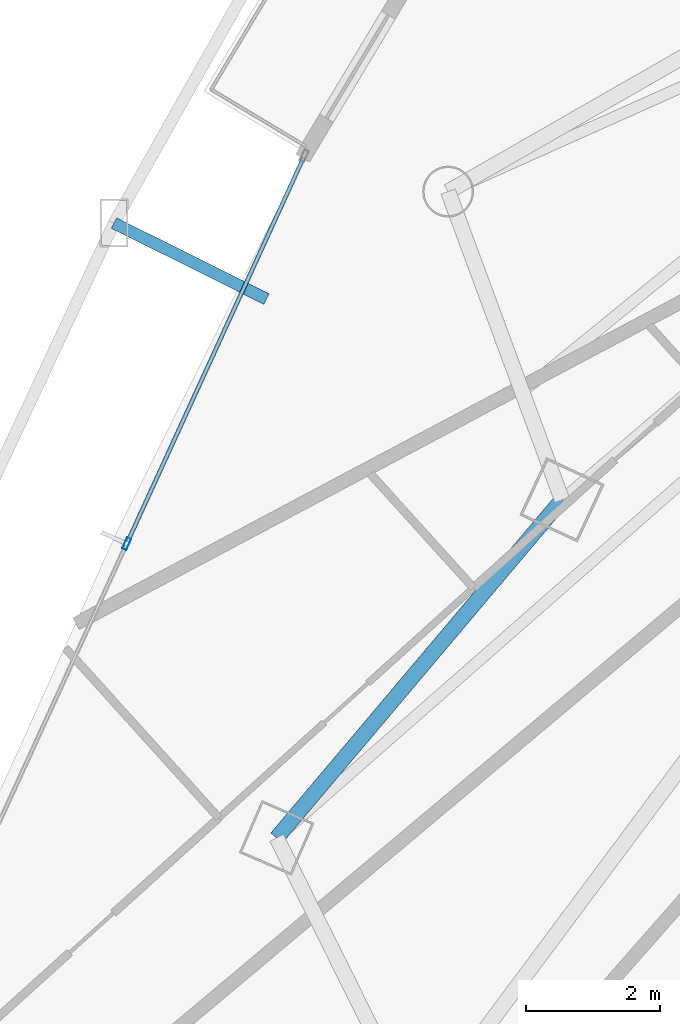
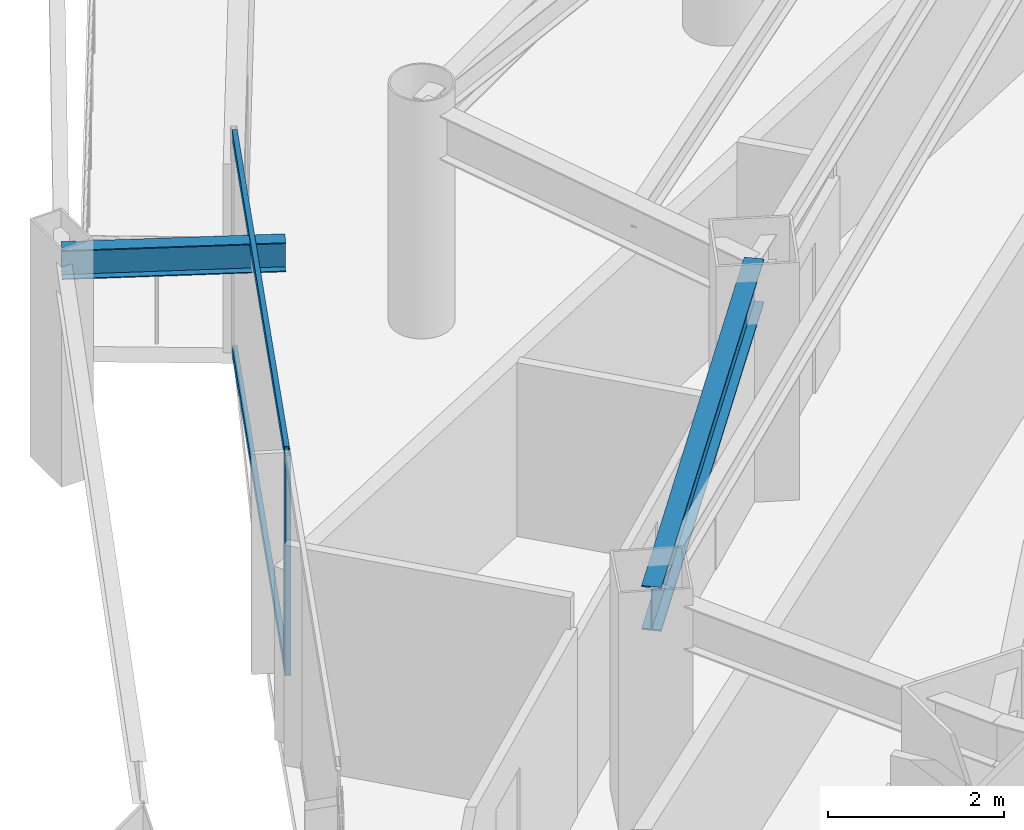
# One storey, part 9 of 38: 3 members, 2 beams, 1 element without a shape of its own.
"""IFC4 building model written with IfcOpenShell, lengths in metres."""

from ifc_helpers import new_model, si_unit, direction, frame, origin, origin_2d, place, context, subcontext, project, spatial, hollow_rectangle, i_section, extrude, material, layer, layer_set, material_profile, profile_set, type_object, element, aggregate, save


model = new_model("IFC4")

# Units and contexts
model_context = context("Model", 3, precision=1e-05, world=origin(), true_north=direction((0.0, 1.0)))
body_context = subcontext(model_context, "Body", "Model", "MODEL_VIEW")
ifc_project = project(units=[si_unit("LENGTHUNIT", "METRE"), si_unit("AREAUNIT", "SQUARE_METRE"), si_unit("VOLUMEUNIT", "CUBIC_METRE"), si_unit("PLANEANGLEUNIT", "RADIAN"), si_unit("MASSUNIT", "GRAM", prefix="KILO")], contexts=[model_context])

# Site, building, storey
site_placement = place(None, origin())
site = spatial("IfcSite", under=ifc_project, at=site_placement, CompositionType="ELEMENT")
building_placement = place(site_placement, origin())
building = spatial("IfcBuilding", under=site, at=building_placement, Name="Orvanel Arch Residences", CompositionType="ELEMENT")
storey_placement = place(building_placement, frame((0.0, 0.0, 43.39990234375)))
storey = spatial("IfcBuildingStorey", under=building, at=storey_placement, Name="L11", CompositionType="ELEMENT", Elevation=43.39990234375)

# Curtain wall, member
ifc_material_1 = material(Name="Bronze-anodised aluminium AA6063-T6", Category="aluminium")
ifc_layer = layer(ifc_material_1, 0.179931640625)
ifc_layer_set = layer_set([ifc_layer], Name="Bronze-anodised aluminium AA6063-T6")
curtain_wall_type = type_object("IfcCurtainWallType", Name="CW2-LOW-SYS", PredefinedType="NOTDEFINED", material=ifc_layer_set)
curtain_wall_placement = place(storey_placement, origin())
curtain_wall = element("IfcCurtainWall", 1, at=curtain_wall_placement, inside=storey, type_object=curtain_wall_type, Name="L11 CW2-LOW-SYS Unitised Curtain Wall", PredefinedType="NOTDEFINED")
ifc_material_profile_1 = material_profile(ifc_material_1, hollow_rectangle(XDim=0.070068359375, YDim=0.179931640625, WallThickness=0.00439453125, at=origin_2d()), Name="ALU180x70x4.5")
ifc_profile_set_1 = profile_set([ifc_material_profile_1], Name="Bronze-anodised aluminium AA6063-T6")
member_type_1 = type_object("IfcMemberType", Name="MUL-180x70", PredefinedType="MULLION", material=ifc_profile_set_1)
member_1_placement = place(storey_placement, frame((9.849609375, 18.9833984375, 0.0), z_axis=(0.0, 0.0, 1.0), x_axis=(0.909193369398, -0.416374131092, 0.0)))
member_1 = element("IfcMember", 2, at=member_1_placement, type_object=member_type_1, Name="CW-S2 mullion 2", PredefinedType="MULLION", context=body_context, shape_type="SweptSolid", body=[
    extrude(hollow_rectangle(XDim=0.070068359375, YDim=0.179931640625, WallThickness=0.00439453125, at=origin_2d()), origin(), (0.0, 0.0, 1.0), 3.06005859375),
])

# Beams
ifc_material_2 = material(Name="Structural steel AS/NZS 3679.1 Grade 300 (300 MPa)", Category="steel")
ifc_material_profile_2 = material_profile(ifc_material_2, i_section(OverallWidth=0.177978515625, OverallDepth=0.406005859375, WebThickness=0.0078125, FlangeThickness=0.0126953125, at=origin_2d()), Name="410UB59.7")
ifc_profile_set_2 = profile_set([ifc_material_profile_2], Name="Structural steel AS/NZS 3679.1 Grade 300 (300 MPa)")
beam_type_1 = type_object("IfcBeamType", Name="OB-410UB-EXT", PredefinedType="SPANDREL", material=ifc_profile_set_2)
beam_1_placement = place(storey_placement, frame((11.94189453125, 22.64794921875, 2.857177734375), z_axis=(-0.895134441845, 0.445796288704, 0.0), x_axis=(-0.445796288704, -0.895134441845, 0.0)))
element("IfcBeam", 3, at=beam_1_placement, inside=storey, type_object=beam_type_1, Name="L11 Outer Frame Radial Tie Beam 03", PredefinedType="SPANDREL", context=body_context, shape_type="SweptSolid", body=[
    extrude(i_section(OverallWidth=0.177978515625, OverallDepth=0.406005859375, WebThickness=0.0078125, FlangeThickness=0.0126953125, at=origin_2d()), origin(), (0.0, 0.0, 1.0), 2.55029296875),
])
ifc_material_profile_3 = material_profile(ifc_material_2, i_section(OverallWidth=0.22900390625, OverallDepth=0.612060546875, WebThickness=0.011962890625, FlangeThickness=0.01953125, at=origin_2d()), Name="610UB125")
ifc_profile_set_3 = profile_set([ifc_material_profile_3], Name="Structural steel AS/NZS 3679.1 Grade 300 (300 MPa)")
beam_type_2 = type_object("IfcBeamType", Name="SP-610UB", PredefinedType="SPANDREL", material=ifc_profile_set_3)
beam_2_placement = place(storey_placement, frame((16.366943359375, 19.64208984375, 2.754150390625), z_axis=(-0.644950329775, -0.764224490659, 0.0), x_axis=(0.764224490659, -0.644950329775, 0.0)))
element("IfcBeam", 4, at=beam_2_placement, inside=storey, type_object=beam_type_2, Name="L11 Perimeter Spandrel Beam 01", PredefinedType="SPANDREL", context=body_context, shape_type="SweptSolid", body=[
    extrude(i_section(OverallWidth=0.22900390625, OverallDepth=0.612060546875, WebThickness=0.011962890625, FlangeThickness=0.01953125, at=origin_2d()), origin(), (0.0, 0.0, 1.0), 6.623779296875),
])

# Member
ifc_material_profile_4 = material_profile(ifc_material_1, hollow_rectangle(XDim=0.06005859375, YDim=0.135009765625, WallThickness=0.00390625, at=origin_2d()), Name="ALU135x60x4")
ifc_profile_set_4 = profile_set([ifc_material_profile_4], Name="Bronze-anodised aluminium AA6063-T6")
member_type_2 = type_object("IfcMemberType", Name="TRN-135x60", PredefinedType="USERDEFINED", material=ifc_profile_set_4)
member_2_placement = place(storey_placement, frame((12.494873046875, 24.75927734375, 0.030029296875), z_axis=(-0.416377925515, -0.909191631695, 0.0), x_axis=(0.909191631695, -0.416377925515, 0.0)))
member_2 = element("IfcMember", 5, at=member_2_placement, type_object=member_type_2, Name="CW-S2 transom 1.1", ObjectType="TRANSOM", PredefinedType="USERDEFINED", context=body_context, shape_type="SweptSolid", body=[
    extrude(hollow_rectangle(XDim=0.06005859375, YDim=0.135009765625, WallThickness=0.00390625, at=origin_2d()), origin(), (0.0, 0.0, 1.0), 6.31787109375),
])

member_3_placement = place(storey_placement, frame((12.494873046875, 24.75927734375, 3.030029296875), z_axis=(-0.416377925515, -0.909191631695, 0.0), x_axis=(0.909191631695, -0.416377925515, 0.0)))
member_3 = element("IfcMember", 6, at=member_3_placement, type_object=member_type_2, Name="CW-S2 transom 1.2", ObjectType="TRANSOM", PredefinedType="USERDEFINED", context=body_context, shape_type="SweptSolid", body=[
    extrude(hollow_rectangle(XDim=0.06005859375, YDim=0.135009765625, WallThickness=0.00390625, at=origin_2d()), origin(), (0.0, 0.0, 1.0), 6.31787109375),
])

aggregate(curtain_wall, [member_1, member_2, member_3])

save(model, "model.ifc")
